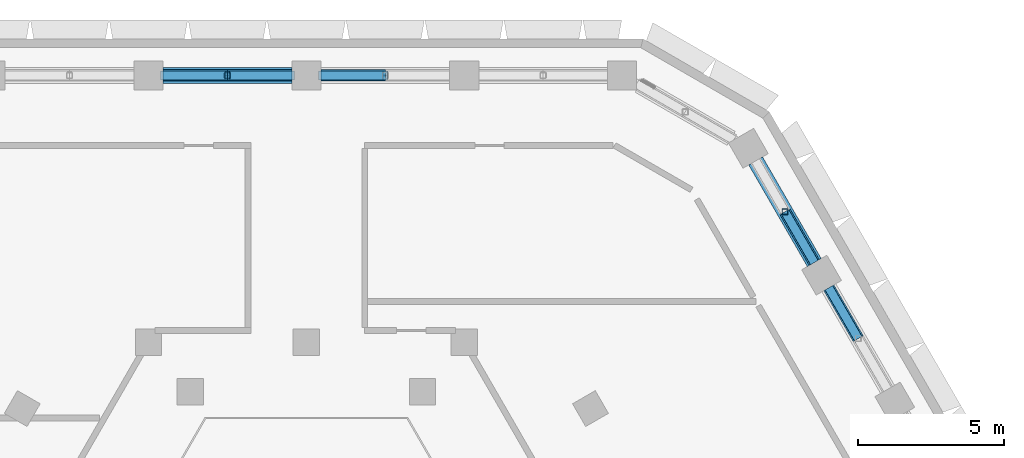
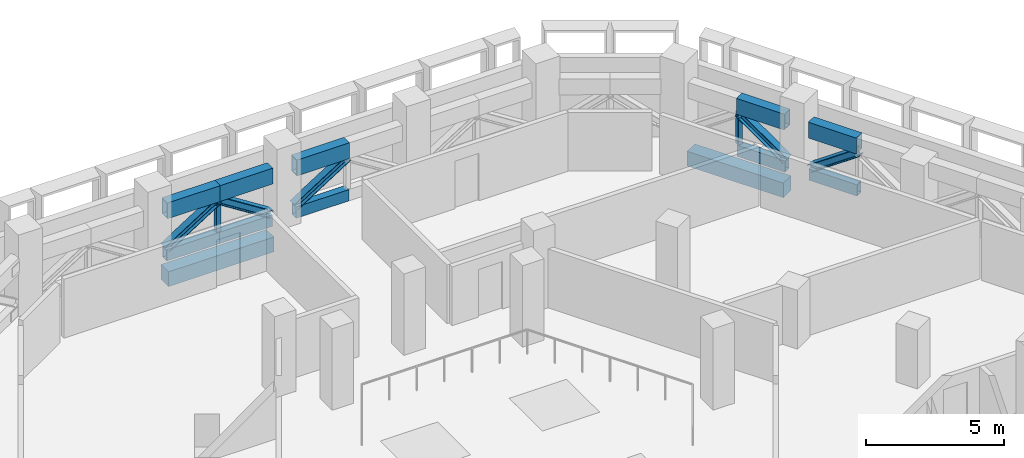
# One storey, part 8 of 23: 17 members, 2 beams.
"""IFC4 building model written with IfcOpenShell, lengths in metres."""

import ifcopenshell
import ifcopenshell.guid

model = None  # the IFC model being written
_history = None  # IfcOwnerHistory: only IFC2X3 demands one
_inside = {}  # id of a spatial element -> (the spatial element, [elements in it])
_under = {}  # id of a project, library or spatial element -> (it, [spatial elements below it])
_declared = {}  # id of a project -> (the project, [libraries it declares])
_typed = {}  # id of a type object -> (the type object, [elements of that type])
_made_of = {}  # id of a material, layer set ... -> (it, [elements and type objects made of it])


def new_model(schema):
    """Start an empty IFC model of exactly this schema.

    Asked for "IFC4X3", IfcOpenShell would pick the latest addendum, in which some entities
    have other attributes; the version numbers below select the first issue.
    IFC2X3 requires an IfcOwnerHistory on every rooted entity: one is made here for all.
    """
    global model, _history
    if schema == "IFC4X3":
        model = ifcopenshell.file(schema_version=(4, 3, 0, 0))
    else:
        model = ifcopenshell.file(schema=schema)
    _inside.clear()
    _under.clear()
    _declared.clear()
    _typed.clear()
    _made_of.clear()
    _history = None
    if model.schema == "IFC2X3":
        org = make("IfcOrganization", Name="unknown")
        user = make(
            "IfcPersonAndOrganization",
            ThePerson=make("IfcPerson", FamilyName="unknown"),
            TheOrganization=org,
        )
        app = make(
            "IfcApplication",
            ApplicationDeveloper=org,
            Version="unknown",
            ApplicationFullName="unknown",
            ApplicationIdentifier="unknown",
        )
        _history = make(
            "IfcOwnerHistory",
            OwningUser=user,
            OwningApplication=app,
            ChangeAction="ADDED",
            CreationDate=0,
        )
    return model


def make(cls, **values):
    """One entity of the class cls with the attributes given. An attribute that is None is left unset."""
    return model.create_entity(
        cls, **{name: value for name, value in values.items() if value is not None}
    )


def rooted(cls, **values):
    """An entity with a GlobalId (a new one), such as an element, a storey or a relation."""
    return make(cls, GlobalId=ifcopenshell.guid.new(), OwnerHistory=_history, **values)


def si_unit(unit_type, name, prefix=None):
    """IfcSIUnit, for example si_unit("LENGTHUNIT", "METRE", prefix="MILLI")."""
    return make("IfcSIUnit", UnitType=unit_type, Prefix=prefix, Name=name)


def assignment(units):
    """IfcUnitAssignment: the units of a project."""
    return None if units is None else make("IfcUnitAssignment", Units=units)


def point(xyz):
    """IfcCartesianPoint."""
    return None if xyz is None else make("IfcCartesianPoint", Coordinates=xyz)


def direction(xyz):
    """IfcDirection."""
    return None if xyz is None else make("IfcDirection", DirectionRatios=xyz)


def frame(location, z_axis=None, x_axis=None):
    """IfcAxis2Placement3D, a coordinate frame: its origin and axes. An axis left out is left unset."""
    return make(
        "IfcAxis2Placement3D",
        Location=point(location),
        Axis=direction(z_axis),
        RefDirection=direction(x_axis),
    )


def frame_2d(location, x_axis=None):
    """IfcAxis2Placement2D, a coordinate frame in the plane: its origin and x axis."""
    return make(
        "IfcAxis2Placement2D", Location=point(location), RefDirection=direction(x_axis)
    )


def origin():
    """The frame at (0, 0, 0) with its axes left unset."""
    return frame((0.0, 0.0, 0.0))


def origin_2d():
    """The frame at (0, 0) in the plane with its x axis left unset."""
    return frame_2d((0.0, 0.0))


def place(relative_to, where):
    """IfcLocalPlacement: puts the frame where relative to a parent placement (None: the world)."""
    return make(
        "IfcLocalPlacement", PlacementRelTo=relative_to, RelativePlacement=where
    )


def context(
    kind, dimensions, precision=None, world=None, true_north=None, identifier=None
):
    """IfcGeometricRepresentationContext, for example the 3D "Model" context."""
    return make(
        "IfcGeometricRepresentationContext",
        ContextIdentifier=identifier,
        ContextType=kind,
        CoordinateSpaceDimension=dimensions,
        Precision=precision,
        WorldCoordinateSystem=world,
        TrueNorth=true_north,
    )


def subcontext(parent, identifier, kind, view, scale=None):
    """IfcGeometricRepresentationSubContext, for example "Body" below "Model"."""
    return make(
        "IfcGeometricRepresentationSubContext",
        ContextIdentifier=identifier,
        ContextType=kind,
        ParentContext=parent,
        TargetScale=scale,
        TargetView=view,
    )


def project(units=None, contexts=None):
    """IfcProject with its units and contexts."""
    return rooted(
        "IfcProject",
        Name="project",
        RepresentationContexts=contexts,
        UnitsInContext=assignment(units),
    )


def spatial(cls, under=None, at=None, **own):
    """A site, building, storey or space (cls), placed at a placement, below another one or the project."""
    s = rooted(cls, ObjectPlacement=at, **own)
    if under is not None:
        _under.setdefault(under.id(), (under, []))[1].append(s)
    return s


def profile(cls, at=None, kind="AREA", **sizes):
    """A parametric profile (cls). Its sizes go by their IFC names, for example OverallWidth=200.0."""
    return make(cls, ProfileType=kind, Position=at, **sizes)


def rectangle(**sizes):
    """IfcRectangleProfileDef."""
    return profile("IfcRectangleProfileDef", **sizes)


def hollow_rectangle(**sizes):
    """IfcRectangleHollowProfileDef."""
    return profile("IfcRectangleHollowProfileDef", **sizes)


def i_section(**sizes):
    """IfcIShapeProfileDef."""
    return profile("IfcIShapeProfileDef", **sizes)


def extrude(swept, where, along, depth):
    """IfcExtrudedAreaSolid: the profile swept, set in the frame where, extruded along a direction by depth."""
    return make(
        "IfcExtrudedAreaSolid",
        SweptArea=swept,
        Position=where,
        ExtrudedDirection=direction(along),
        Depth=depth,
    )


def shape(context_of_items, identifier, shape_type, items):
    """IfcShapeRepresentation: the items that make up one representation, for example the "Body"."""
    return make(
        "IfcShapeRepresentation",
        ContextOfItems=context_of_items,
        RepresentationIdentifier=identifier,
        RepresentationType=shape_type,
        Items=items,
    )


def material(Name=None, Category=None):
    """IfcMaterial."""
    return make("IfcMaterial", Name=Name, Category=Category)


def material_profile(
    of_material, cross_section, Name=None, Category=None, Priority=None
):
    """IfcMaterialProfile: a cross section and its material."""
    return make(
        "IfcMaterialProfile",
        Name=Name,
        Material=of_material,
        Profile=cross_section,
        Priority=Priority,
        Category=Category,
    )


def profile_set(profiles, Name=None, composite=None):
    """IfcMaterialProfileSet."""
    return make(
        "IfcMaterialProfileSet",
        Name=Name,
        MaterialProfiles=profiles,
        CompositeProfile=composite,
    )


def made_of(thing, what):
    """Note that an element or type object is made of a material, layer set ...; save() writes the relation."""
    if what is not None:
        _made_of.setdefault(what.id(), (what, []))[1].append(thing)
    return thing


def type_object(cls, material=None, **own):
    """A type object (cls), such as IfcWallType, which elements share."""
    return made_of(rooted(cls, **own), material)


def element(
    cls,
    number,
    at=None,
    inside=None,
    cuts=None,
    type_object=None,
    material=None,
    context=None,
    identifier="Body",
    shape_type=None,
    held_by="IfcProductDefinitionShape",
    body=None,
    shapes=None,
    **own,
):
    """One element of the class cls, such as IfcWall. Its Tag is "e" and its number.

    at: its placement. inside: the storey or other place that contains it. cuts: it is an
    opening in that element (IfcRelVoidsElement). A single representation is given by context,
    identifier, shape_type and body (its items); several are given by shapes. held_by: the class
    of the entity that holds the representations. save() writes the other relations.
    """
    e = rooted(cls, Tag="e%d" % number, ObjectPlacement=at, **own)
    if body is not None:
        shapes = [shape(context, identifier, shape_type, body)]
    if shapes is not None:
        e.Representation = make(held_by, Representations=shapes)
    if inside is not None:
        _inside.setdefault(inside.id(), (inside, []))[1].append(e)
    if cuts is not None:
        rooted(
            "IfcRelVoidsElement", RelatingBuildingElement=cuts, RelatedOpeningElement=e
        )
    if type_object is not None:
        _typed.setdefault(type_object.id(), (type_object, []))[1].append(e)
    return made_of(e, material)


def aggregate(whole, parts):
    """IfcRelAggregates: a whole, such as a stair, and the parts it consists of."""
    return rooted("IfcRelAggregates", RelatingObject=whole, RelatedObjects=parts)


def save(model, path):
    """Write the relations noted so far, then the file.

    IfcRelAggregates (storeys below a building ...), IfcRelContainedInSpatialStructure (elements
    in a storey), IfcRelDefinesByType, IfcRelAssociatesMaterial and IfcRelDeclares: one each for
    every whole, place, type object, material and project.
    """
    for whole, parts in _under.values():
        aggregate(whole, parts)
    for where, things in _inside.values():
        rooted(
            "IfcRelContainedInSpatialStructure",
            RelatedElements=things,
            RelatingStructure=where,
        )
    for kind, things in _typed.values():
        rooted("IfcRelDefinesByType", RelatedObjects=things, RelatingType=kind)
    for what, things in _made_of.values():
        rooted("IfcRelAssociatesMaterial", RelatedObjects=things, RelatingMaterial=what)
    for by, libraries in _declared.values():
        rooted("IfcRelDeclares", RelatingContext=by, RelatedDefinitions=libraries)
    model.write(path)


model = new_model("IFC4")

# Units and contexts
model_context = context("Model", 3, precision=1e-05, world=origin(), true_north=direction((0.0, 1.0)))
body_context = subcontext(model_context, "Body", "Model", "MODEL_VIEW")
ifc_project = project(units=[si_unit("LENGTHUNIT", "METRE"), si_unit("AREAUNIT", "SQUARE_METRE"), si_unit("VOLUMEUNIT", "CUBIC_METRE"), si_unit("PLANEANGLEUNIT", "RADIAN"), si_unit("MASSUNIT", "GRAM", prefix="KILO")], contexts=[model_context])

# Site, building, storey
site_placement = place(None, origin())
site = spatial("IfcSite", under=ifc_project, at=site_placement, CompositionType="ELEMENT")
building_placement = place(site_placement, origin())
building = spatial("IfcBuilding", under=site, at=building_placement, Name="Beryl Residences", CompositionType="ELEMENT")
storey_placement = place(building_placement, frame((0.0, 0.0, 108.0)))
storey = spatial("IfcBuildingStorey", under=building, at=storey_placement, Name="L33", CompositionType="ELEMENT", Elevation=108.0)

# Members
ifc_material_1 = material(Name="Steel S355", Category="steel")
ifc_material_profile_1 = material_profile(ifc_material_1, hollow_rectangle(XDim=0.300048828125, YDim=0.5, WallThickness=0.02490234375, at=origin_2d()))
ifc_profile_set_1 = profile_set([ifc_material_profile_1], Name="Steel S355")
member_type_1 = type_object("IfcMemberType", Name="BB2 belt truss bottom chord WB 500x300x25", PredefinedType="CHORD", material=ifc_profile_set_1)
member_1_placement = place(storey_placement, frame((2.705078125, 25.75, 0.25), z_axis=(-1.0, 0.0, 0.0), x_axis=(0.0, -1.0, 0.0)))
element("IfcMember", 1, at=member_1_placement, inside=storey, type_object=member_type_1, Name="Outrigger truss BB2-N-1b L33", PredefinedType="CHORD", context=body_context, shape_type="SweptSolid", body=[
    extrude(hollow_rectangle(XDim=0.300048828125, YDim=0.5, WallThickness=0.02490234375, at=origin_2d()), origin(), (0.0, 0.0, 1.0), 2.2060546875),
])
member_2_placement = place(storey_placement, frame((-0.5009765625, 25.75, 0.25), z_axis=(-1.0, 0.0, 0.0), x_axis=(0.0, -1.0, 0.0)))
element("IfcMember", 2, at=member_2_placement, inside=storey, type_object=member_type_1, Name="Outrigger truss BB2-N-2a L33", PredefinedType="CHORD", context=body_context, shape_type="SweptSolid", body=[
    extrude(hollow_rectangle(XDim=0.300048828125, YDim=0.5, WallThickness=0.02490234375, at=origin_2d()), origin(), (0.0, 0.0, 1.0), 2.20703125),
])
member_3_placement = place(storey_placement, frame((-2.7080078125, 25.75, 0.25), z_axis=(-1.0, 0.0, 0.0), x_axis=(0.0, -1.0, 0.0)))
element("IfcMember", 3, at=member_3_placement, inside=storey, type_object=member_type_1, Name="Outrigger truss BB2-N-2b L33", PredefinedType="CHORD", context=body_context, shape_type="SweptSolid", body=[
    extrude(hollow_rectangle(XDim=0.300048828125, YDim=0.5, WallThickness=0.02490234375, at=origin_2d()), origin(), (0.0, 0.0, 1.0), 2.2060546875),
])
member_4_placement = place(storey_placement, frame((18.923095703125, 16.72509765625, 0.25), z_axis=(-0.500146161777, 0.865941000796, 0.0), x_axis=(-0.865941000796, -0.500146161777, 0.0)))
element("IfcMember", 4, at=member_4_placement, inside=storey, type_object=member_type_1, Name="Outrigger truss BB2-NE-3b L33", PredefinedType="CHORD", context=body_context, shape_type="SweptSolid", body=[
    extrude(hollow_rectangle(XDim=0.300048828125, YDim=0.5, WallThickness=0.02490234375, at=origin_2d()), origin(), (0.0, 0.0, 1.0), 2.01171875),
])
member_5_placement = place(storey_placement, frame((17.4169921875, 19.3330078125, 0.25), z_axis=(-0.499690923653, 0.866203775574, 0.0), x_axis=(-0.866203775574, -0.499690923653, 0.0)))
element("IfcMember", 5, at=member_5_placement, inside=storey, type_object=member_type_1, Name="Outrigger truss BB2-NE-4a L33", PredefinedType="CHORD", context=body_context, shape_type="SweptSolid", body=[
    extrude(hollow_rectangle(XDim=0.300048828125, YDim=0.5, WallThickness=0.02490234375, at=origin_2d()), origin(), (0.0, 0.0, 1.0), 2.010986328125),
])
ifc_material_2 = material(Name="Steel S355", Category="steel")
ifc_material_profile_2 = material_profile(ifc_material_2, i_section(OverallWidth=0.30908203125, OverallDepth=0.320068359375, WebThickness=0.013916015625, FlangeThickness=0.021728515625, FilletRadius=0.0166015625, at=origin_2d()))
ifc_profile_set_2 = profile_set([ifc_material_profile_2], Name="Steel S355")
member_type_2 = type_object("IfcMemberType", Name="BD2 belt truss diagonal 310UC137", PredefinedType="BRACE", material=ifc_profile_set_2)
member_6_placement = place(storey_placement, frame((0.4990234375, 25.75, 0.5), z_axis=(0.844345679218, 0.0, 0.535798818574), x_axis=(0.0, 1.0, 0.0)))
element("IfcMember", 6, at=member_6_placement, inside=storey, type_object=member_type_2, Name="Outrigger truss BD2-N-1b L33", PredefinedType="BRACE", context=body_context, shape_type="SweptSolid", body=[
    extrude(i_section(OverallWidth=0.30908203125, OverallDepth=0.320068359375, WebThickness=0.013916015625, FlangeThickness=0.021728515625, FilletRadius=0.0166015625, at=origin_2d()), origin(), (0.0, 0.0, 1.0), 2.61279296875),
])
member_7_placement = place(storey_placement, frame((-0.5009765625, 25.75, 0.5), z_axis=(-0.844452930378, 0.0, 0.535629768008), x_axis=(0.0, -1.0, 0.0)))
element("IfcMember", 7, at=member_7_placement, inside=storey, type_object=member_type_2, Name="Outrigger truss BD2-N-2a L33", PredefinedType="BRACE", context=body_context, shape_type="SweptSolid", body=[
    extrude(i_section(OverallWidth=0.30908203125, OverallDepth=0.320068359375, WebThickness=0.013916015625, FlangeThickness=0.021728515625, FilletRadius=0.0166015625, at=origin_2d()), origin(), (0.0, 0.0, 1.0), 2.613525390625),
])
member_8_placement = place(storey_placement, frame((-4.9140625, 25.75, 0.5), z_axis=(0.844345679218, 0.0, 0.535798818574), x_axis=(0.0, 1.0, 0.0)))
element("IfcMember", 8, at=member_8_placement, inside=storey, type_object=member_type_2, Name="Outrigger truss BD2-N-2b L33", PredefinedType="BRACE", context=body_context, shape_type="SweptSolid", body=[
    extrude(i_section(OverallWidth=0.30908203125, OverallDepth=0.320068359375, WebThickness=0.013916015625, FlangeThickness=0.021728515625, FilletRadius=0.0166015625, at=origin_2d()), origin(), (0.0, 0.0, 1.0), 2.61279296875),
])
member_9_placement = place(storey_placement, frame((17.9169921875, 18.467041015625, 0.5), z_axis=(0.41052328909, -0.710770120761, 0.571206148906), x_axis=(0.865941000796, 0.500146161777, 0.0)))
element("IfcMember", 9, at=member_9_placement, inside=storey, type_object=member_type_2, Name="Outrigger truss BD2-NE-3b L33", PredefinedType="BRACE", context=body_context, shape_type="SweptSolid", body=[
    extrude(i_section(OverallWidth=0.30908203125, OverallDepth=0.320068359375, WebThickness=0.013916015625, FlangeThickness=0.021728515625, FilletRadius=0.0166015625, at=origin_2d()), origin(), (0.0, 0.0, 1.0), 2.45068359375),
])
member_10_placement = place(storey_placement, frame((17.4169921875, 19.3330078125, 0.5), z_axis=(-0.410109017379, 0.710915412779, 0.571322911966), x_axis=(-0.866203775574, -0.499690923653, 0.0)))
element("IfcMember", 10, at=member_10_placement, inside=storey, type_object=member_type_2, Name="Outrigger truss BD2-NE-4a L33", PredefinedType="BRACE", context=body_context, shape_type="SweptSolid", body=[
    extrude(i_section(OverallWidth=0.30908203125, OverallDepth=0.320068359375, WebThickness=0.013916015625, FlangeThickness=0.021728515625, FilletRadius=0.0166015625, at=origin_2d()), origin(), (0.0, 0.0, 1.0), 2.4501953125),
])
ifc_material_3 = material(Name="Steel S355", Category="steel")
ifc_material_profile_3 = material_profile(ifc_material_3, hollow_rectangle(XDim=0.199951171875, YDim=0.199951171875, WallThickness=0.009033203125, InnerFilletRadius=0.009033203125, OuterFilletRadius=0.01806640625, at=origin_2d()))
ifc_profile_set_3 = profile_set([ifc_material_profile_3], Name="Steel S355")
member_type_3 = type_object("IfcMemberType", Name="BQ2 belt truss post SHS 200x200x9", PredefinedType="POST", material=ifc_profile_set_3)
for number, where, z_axis, x_axis, name in (
    (11, (-2.7080078125, 25.75, 0.5), (0.0, 0.0, 1.0), (1.0, 0.0, 0.0), "Outrigger truss BQ2-N-2 L33"),
    (12, (16.412109375, 21.074951171875, 0.5), (0.0, 0.0, 1.0), (1.0, 0.0, 0.0), "Outrigger truss BQ2-NE-4 L33"),
):
    element("IfcMember", number, at=place(storey_placement, frame(where, z_axis=z_axis, x_axis=x_axis)), inside=storey, type_object=member_type_3, Name=name, PredefinedType="POST", context=body_context, shape_type="SweptSolid", body=[
        extrude(hollow_rectangle(XDim=0.199951171875, YDim=0.199951171875, WallThickness=0.009033203125, InnerFilletRadius=0.009033203125, OuterFilletRadius=0.01806640625, at=origin_2d()), origin(), (0.0, 0.0, 1.0), 1.39990234375),
    ])
ifc_material_4 = material(Name="Steel S355", Category="steel")
ifc_material_profile_4 = material_profile(ifc_material_4, hollow_rectangle(XDim=0.39990234375, YDim=0.699951171875, WallThickness=0.030029296875, at=origin_2d()))
ifc_profile_set_4 = profile_set([ifc_material_profile_4], Name="Steel S355")
member_type_4 = type_object("IfcMemberType", Name="BT2 belt truss top chord WB 700x400x30", PredefinedType="CHORD", material=ifc_profile_set_4)
member_11_placement = place(storey_placement, frame((2.705078125, 25.75, 2.25), z_axis=(-1.0, 0.0, 0.0), x_axis=(0.0, -1.0, 0.0)))
element("IfcMember", 13, at=member_11_placement, inside=storey, type_object=member_type_4, Name="Outrigger truss BT2-N-1b L33", PredefinedType="CHORD", context=body_context, shape_type="SweptSolid", body=[
    extrude(hollow_rectangle(XDim=0.39990234375, YDim=0.699951171875, WallThickness=0.030029296875, at=origin_2d()), origin(), (0.0, 0.0, 1.0), 2.2060546875),
])
member_12_placement = place(storey_placement, frame((-0.5009765625, 25.75, 2.25), z_axis=(-1.0, 0.0, 0.0), x_axis=(0.0, -1.0, 0.0)))
element("IfcMember", 14, at=member_12_placement, inside=storey, type_object=member_type_4, Name="Outrigger truss BT2-N-2a L33", PredefinedType="CHORD", context=body_context, shape_type="SweptSolid", body=[
    extrude(hollow_rectangle(XDim=0.39990234375, YDim=0.699951171875, WallThickness=0.030029296875, at=origin_2d()), origin(), (0.0, 0.0, 1.0), 2.20703125),
])
member_13_placement = place(storey_placement, frame((-2.7080078125, 25.75, 2.25), z_axis=(-1.0, 0.0, 0.0), x_axis=(0.0, -1.0, 0.0)))
element("IfcMember", 15, at=member_13_placement, inside=storey, type_object=member_type_4, Name="Outrigger truss BT2-N-2b L33", PredefinedType="CHORD", context=body_context, shape_type="SweptSolid", body=[
    extrude(hollow_rectangle(XDim=0.39990234375, YDim=0.699951171875, WallThickness=0.030029296875, at=origin_2d()), origin(), (0.0, 0.0, 1.0), 2.2060546875),
])
member_14_placement = place(storey_placement, frame((18.923095703125, 16.72509765625, 2.25), z_axis=(-0.500146161777, 0.865941000796, 0.0), x_axis=(-0.865941000796, -0.500146161777, 0.0)))
element("IfcMember", 16, at=member_14_placement, inside=storey, type_object=member_type_4, Name="Outrigger truss BT2-NE-3b L33", PredefinedType="CHORD", context=body_context, shape_type="SweptSolid", body=[
    extrude(hollow_rectangle(XDim=0.39990234375, YDim=0.699951171875, WallThickness=0.030029296875, at=origin_2d()), origin(), (0.0, 0.0, 1.0), 2.01171875),
])
member_15_placement = place(storey_placement, frame((17.4169921875, 19.3330078125, 2.25), z_axis=(-0.499690923653, 0.866203775574, 0.0), x_axis=(-0.866203775574, -0.499690923653, 0.0)))
element("IfcMember", 17, at=member_15_placement, inside=storey, type_object=member_type_4, Name="Outrigger truss BT2-NE-4a L33", PredefinedType="CHORD", context=body_context, shape_type="SweptSolid", body=[
    extrude(hollow_rectangle(XDim=0.39990234375, YDim=0.699951171875, WallThickness=0.030029296875, at=origin_2d()), origin(), (0.0, 0.0, 1.0), 2.010986328125),
])

# Beams
ifc_material_5 = material(Name="Concrete C70/85", Category="concrete")
ifc_material_profile_5 = material_profile(ifc_material_5, rectangle(XDim=0.550048828125, YDim=0.64990234375, at=origin_2d()))
ifc_profile_set_5 = profile_set([ifc_material_profile_5], Name="Concrete C70/85")
beam_type = type_object("IfcBeamType", Name="SB2 spandrel beam 550 x 650 C70/85", PredefinedType="SPANDREL", material=ifc_profile_set_5)
beam_1_placement = place(storey_placement, frame((-0.5009765625, 25.75, -0.72509765625), z_axis=(-1.0, 0.0, 0.0), x_axis=(0.0, -1.0, 0.0)))
element("IfcBeam", 18, at=beam_1_placement, inside=storey, type_object=beam_type, Name="SB2 L33 N-2", PredefinedType="SPANDREL", context=body_context, shape_type="SweptSolid", body=[
    extrude(rectangle(XDim=0.550048828125, YDim=0.64990234375, at=origin_2d()), origin(), (0.0, 0.0, 1.0), 4.4130859375),
])
beam_2_placement = place(storey_placement, frame((17.4169921875, 19.3330078125, -0.72509765625), z_axis=(-0.499918594511, 0.866072398164, 0.0), x_axis=(-0.866072398164, -0.499918594511, 0.0)))
element("IfcBeam", 19, at=beam_2_placement, inside=storey, type_object=beam_type, Name="SB2 L33 NE-4", PredefinedType="SPANDREL", context=body_context, shape_type="SweptSolid", body=[
    extrude(rectangle(XDim=0.550048828125, YDim=0.64990234375, at=origin_2d()), origin(), (0.0, 0.0, 1.0), 4.022705078125),
])

save(model, "model.ifc")
